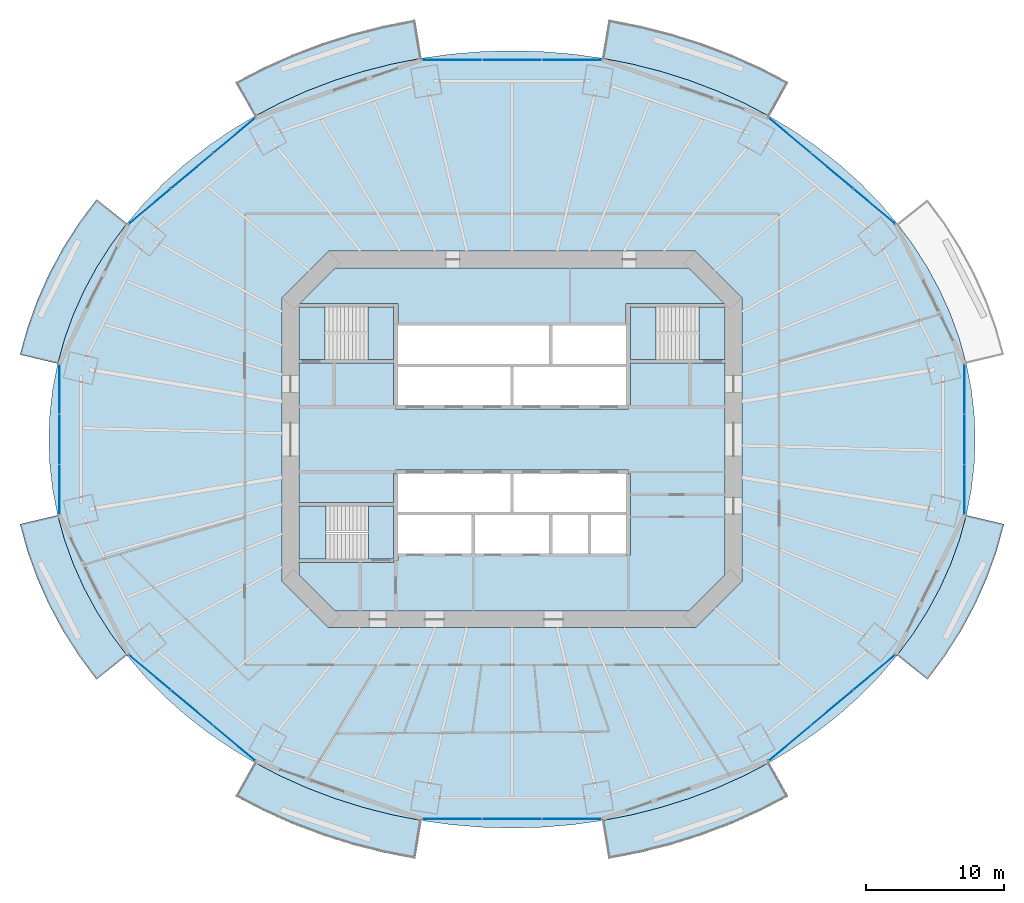
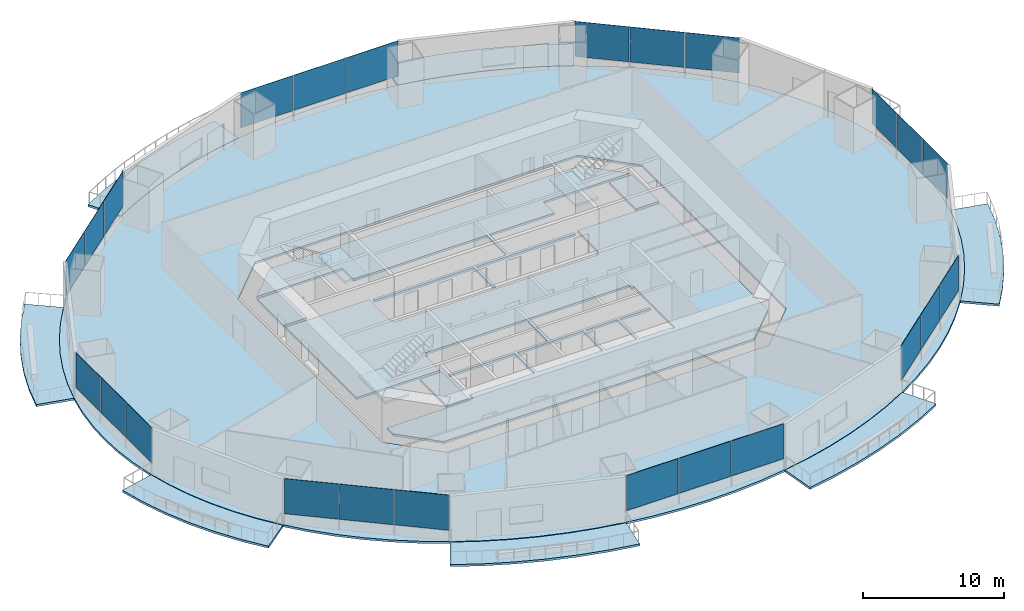
# One storey, part 11 of 18: 24 plates, 16 slabs, 11 elements without a shape of their own.
"""IFC4 building model written with IfcOpenShell, lengths in metres."""

from ifc_helpers import new_model, si_unit, direction, frame, origin, origin_2d, place, context, subcontext, project, spatial, polyline, rectangle, outline, extrude, material, layer, layer_set, type_object, element, aggregate, save


model = new_model("IFC4")

# Units and contexts
model_context = context("Model", 3, precision=1e-05, world=origin(), true_north=direction((0.0, 1.0)))
body_context = subcontext(model_context, "Body", "Model", "MODEL_VIEW")
ifc_project = project(units=[si_unit("LENGTHUNIT", "METRE"), si_unit("AREAUNIT", "SQUARE_METRE"), si_unit("VOLUMEUNIT", "CUBIC_METRE"), si_unit("PLANEANGLEUNIT", "RADIAN"), si_unit("MASSUNIT", "GRAM", prefix="KILO")], contexts=[model_context])

# Site, building, storey
site_placement = place(None, origin())
site = spatial("IfcSite", under=ifc_project, at=site_placement, CompositionType="ELEMENT")
building_placement = place(site_placement, origin())
building = spatial("IfcBuilding", under=site, at=building_placement, Name="Marenthal Gate Tower", CompositionType="ELEMENT")
storey_placement = place(building_placement, frame((0.0, 0.0, 140.89990234375)))
storey = spatial("IfcBuildingStorey", under=building, at=storey_placement, Name="L30", CompositionType="ELEMENT", Elevation=140.89990234375)

# Slabs
ifc_material_1 = material(Name="Concrete 40 MPa", Category="concrete")
ifc_layer_1 = layer(ifc_material_1, 0.179931640625)
ifc_layer_set_1 = layer_set([ifc_layer_1], Name="Balcony deck 180")
slab_type_1 = type_object("IfcSlabType", Name="Balcony deck 180", PredefinedType="USERDEFINED", material=ifc_layer_set_1)
slab_1_placement = place(storey_placement, frame((0.0, 0.0, -0.219970703125)))
element("IfcSlab", 1, at=slab_1_placement, inside=storey, type_object=slab_type_1, Name="Balcony deck L30 bay 3", ObjectType="BALCONY", PredefinedType="USERDEFINED", context=body_context, shape_type="SweptSolid", body=[
    extrude(outline(polyline([(18.590576171875, 23.34521484375), (16.73095703125, 24.3154296875), (14.7998046875, 25.181396484375), (12.805419921875, 25.939697265625), (10.756103515625, 26.5869140625), (8.66064453125, 27.120361328125), (6.528076171875, 27.53759765625), (6.989013671875, 30.29931640625), (9.27490234375, 29.85205078125), (11.52294921875, 29.27978515625), (13.724609375, 28.584716796875), (15.870361328125, 27.768798828125), (17.95166015625, 26.835205078125), (19.959716796875, 25.78759765625), (18.590576171875, 23.34521484375)])), origin(), (0.0, 0.0, 1.0), 0.18017578125),
])
slab_2_placement = place(storey_placement, frame((0.0, 0.0, -0.219970703125)))
element("IfcSlab", 2, at=slab_2_placement, inside=storey, type_object=slab_type_1, Name="Balcony deck L30 bay 5", ObjectType="BALCONY", PredefinedType="USERDEFINED", context=body_context, shape_type="SweptSolid", body=[
    extrude(outline(polyline([(-6.528076171875, 27.53759765625), (-8.66064453125, 27.120361328125), (-10.756103515625, 26.5869140625), (-12.805419921875, 25.939697265625), (-14.7998046875, 25.181396484375), (-16.73095703125, 24.3154296875), (-18.590576171875, 23.34521484375), (-19.959716796875, 25.78759765625), (-17.95166015625, 26.835205078125), (-15.870361328125, 27.768798828125), (-13.724609375, 28.584716796875), (-11.52294921875, 29.27978515625), (-9.27490234375, 29.85205078125), (-6.989013671875, 30.29931640625), (-6.528076171875, 27.53759765625)])), origin(), (0.0, 0.0, 1.0), 0.18017578125),
])
slab_3_placement = place(storey_placement, frame((0.0, 0.0, -0.219970703125)))
element("IfcSlab", 3, at=slab_3_placement, inside=storey, type_object=slab_type_1, Name="Balcony deck L30 bay 7", ObjectType="BALCONY", PredefinedType="USERDEFINED", context=body_context, shape_type="SweptSolid", body=[
    extrude(outline(polyline([(-27.822509765625, 15.5986328125), (-28.97900390625, 14.03857421875), (-30.01123046875, 12.418212890625), (-30.914794921875, 10.74462890625), (-31.686279296875, 9.025146484375), (-32.32177734375, 7.266845703125), (-32.819091796875, 5.4775390625), (-35.54345703125, 6.12353515625), (-34.989013671875, 8.11865234375), (-34.28173828125, 10.0751953125), (-33.425537109375, 11.984130859375), (-32.425048828125, 13.8369140625), (-31.28564453125, 15.625732421875), (-30.012939453125, 17.343017578125), (-27.822509765625, 15.5986328125)])), origin(), (0.0, 0.0, 1.0), 0.18017578125),
])
slab_4_placement = place(storey_placement, frame((0.0, 0.0, -0.219970703125)))
element("IfcSlab", 4, at=slab_4_placement, inside=storey, type_object=slab_type_1, Name="Balcony deck L30 bay 9", ObjectType="BALCONY", PredefinedType="USERDEFINED", context=body_context, shape_type="SweptSolid", body=[
    extrude(outline(polyline([(-32.819091796875, -5.4775390625), (-32.32177734375, -7.266845703125), (-31.686279296875, -9.025146484375), (-30.914794921875, -10.74462890625), (-30.01123046875, -12.418212890625), (-28.97900390625, -14.03857421875), (-27.822509765625, -15.5986328125), (-30.012939453125, -17.343017578125), (-31.28564453125, -15.625732421875), (-32.425048828125, -13.8369140625), (-33.425537109375, -11.984130859375), (-34.28173828125, -10.0751953125), (-34.989013671875, -8.11865234375), (-35.54345703125, -6.12353515625), (-32.819091796875, -5.4775390625)])), origin(), (0.0, 0.0, 1.0), 0.18017578125),
])
slab_5_placement = place(storey_placement, frame((0.0, 0.0, -0.219970703125)))
element("IfcSlab", 5, at=slab_5_placement, inside=storey, type_object=slab_type_1, Name="Balcony deck L30 bay 11", ObjectType="BALCONY", PredefinedType="USERDEFINED", context=body_context, shape_type="SweptSolid", body=[
    extrude(outline(polyline([(-18.590576171875, -23.34521484375), (-16.73095703125, -24.3154296875), (-14.7998046875, -25.181396484375), (-12.805419921875, -25.939697265625), (-10.756103515625, -26.5869140625), (-8.66064453125, -27.120361328125), (-6.528076171875, -27.53759765625), (-6.989013671875, -30.29931640625), (-9.27490234375, -29.85205078125), (-11.52294921875, -29.27978515625), (-13.724609375, -28.584716796875), (-15.870361328125, -27.768798828125), (-17.95166015625, -26.835205078125), (-19.959716796875, -25.78759765625), (-18.590576171875, -23.34521484375)])), origin(), (0.0, 0.0, 1.0), 0.18017578125),
])
slab_6_placement = place(storey_placement, frame((0.0, 0.0, -0.219970703125)))
element("IfcSlab", 6, at=slab_6_placement, inside=storey, type_object=slab_type_1, Name="Balcony deck L30 bay 13", ObjectType="BALCONY", PredefinedType="USERDEFINED", context=body_context, shape_type="SweptSolid", body=[
    extrude(outline(polyline([(6.528076171875, -27.53759765625), (8.66064453125, -27.120361328125), (10.756103515625, -26.5869140625), (12.805419921875, -25.939697265625), (14.7998046875, -25.181396484375), (16.73095703125, -24.3154296875), (18.590576171875, -23.34521484375), (19.959716796875, -25.78759765625), (17.95166015625, -26.835205078125), (15.870361328125, -27.768798828125), (13.724609375, -28.584716796875), (11.52294921875, -29.27978515625), (9.27490234375, -29.85205078125), (6.989013671875, -30.29931640625), (6.528076171875, -27.53759765625)])), origin(), (0.0, 0.0, 1.0), 0.18017578125),
])
slab_7_placement = place(storey_placement, frame((0.0, 0.0, -0.219970703125)))
element("IfcSlab", 7, at=slab_7_placement, inside=storey, type_object=slab_type_1, Name="Balcony deck L30 bay 15", ObjectType="BALCONY", PredefinedType="USERDEFINED", context=body_context, shape_type="SweptSolid", body=[
    extrude(outline(polyline([(27.822509765625, -15.5986328125), (28.97900390625, -14.03857421875), (30.01123046875, -12.418212890625), (30.914794921875, -10.74462890625), (31.686279296875, -9.025146484375), (32.32177734375, -7.266845703125), (32.819091796875, -5.4775390625), (35.54345703125, -6.12353515625), (34.989013671875, -8.11865234375), (34.28173828125, -10.0751953125), (33.425537109375, -11.984130859375), (32.425048828125, -13.8369140625), (31.28564453125, -15.625732421875), (30.012939453125, -17.343017578125), (27.822509765625, -15.5986328125)])), origin(), (0.0, 0.0, 1.0), 0.18017578125),
])
ifc_material_2 = material(Name="Concrete 50 MPa", Category="concrete")
ifc_layer_2 = layer(ifc_material_2, 0.179931640625)
ifc_layer_set_2 = layer_set([ifc_layer_2], Name="Core floor slab 180")
slab_type_2 = type_object("IfcSlabType", Name="Core floor slab 180", PredefinedType="FLOOR", material=ifc_layer_set_2)
slab_8_placement = place(storey_placement, frame((0.0, 0.0, -0.179931640625)))
element("IfcSlab", 8, at=slab_8_placement, inside=storey, type_object=slab_type_2, Name="Core floor L30", PredefinedType="FLOOR", context=body_context, shape_type="SweptSolid", body=[
    extrude(outline(polyline([(15.39990234375, -9.75146484375), (12.75146484375, -12.39990234375), (-12.75146484375, -12.39990234375), (-15.39990234375, -9.75146484375), (-15.39990234375, -8.875), (-8.550048828125, -8.875), (-8.550048828125, -8.75), (-8.25, -8.75), (-8.25, -8.239990234375), (-5.60009765625, -8.239990234375), (-2.909912109375, -8.239990234375), (-2.909912109375, -5.4599609375), (-5.60009765625, -5.4599609375), (-8.25, -5.4599609375), (-8.25, -5.239990234375), (-5.60009765625, -5.239990234375), (-2.800048828125, -5.239990234375), (-0.110107421875, -5.239990234375), (-0.110107421875, -2.5), (0.110107421875, -2.5), (0.110107421875, -5.239990234375), (2.800048828125, -5.239990234375), (5.60009765625, -5.239990234375), (8.25, -5.239990234375), (8.25, -5.4599609375), (5.7099609375, -5.4599609375), (5.7099609375, -8.239990234375), (8.25, -8.239990234375), (8.25, -8.35009765625), (8.550048828125, -8.35009765625), (8.550048828125, -2.5), (8.39990234375, -2.5), (8.39990234375, -2.199951171875), (-8.39990234375, -2.199951171875), (-8.39990234375, -2.5), (-8.550048828125, -2.5), (-8.550048828125, -4.574951171875), (-15.39990234375, -4.574951171875), (-15.39990234375, 5.52490234375), (-8.550048828125, 5.52490234375), (-8.550048828125, 2.5), (-8.39990234375, 2.5), (-8.39990234375, 2.199951171875), (8.39990234375, 2.199951171875), (8.39990234375, 2.5), (8.550048828125, 2.5), (8.550048828125, 5.52490234375), (15.39990234375, 5.52490234375), (15.39990234375, -9.75146484375)]), holes=[polyline([(2.68994140625, -5.4599609375), (0.0, -5.4599609375), (-2.68994140625, -5.4599609375), (-2.68994140625, -8.239990234375), (0.0, -8.239990234375), (2.68994140625, -8.239990234375), (2.68994140625, -5.4599609375)]), polyline([(5.489990234375, -5.4599609375), (2.909912109375, -5.4599609375), (2.909912109375, -8.239990234375), (5.489990234375, -8.239990234375), (5.489990234375, -5.4599609375)])]), origin(), (0.0, 0.0, 1.0), 0.179931640625),
])
slab_9_placement = place(storey_placement, frame((0.0, 0.0, -0.179931640625)))
element("IfcSlab", 9, at=slab_9_placement, inside=storey, type_object=slab_type_2, Name="Core floor L30", PredefinedType="FLOOR", context=body_context, shape_type="SweptSolid", body=[
    extrude(outline(polyline([(15.39990234375, 5.77490234375), (13.5, 5.77490234375), (13.5, 9.574951171875), (15.39990234375, 9.574951171875), (15.39990234375, 5.77490234375)])), origin(), (0.0, 0.0, 1.0), 0.179931640625),
])
slab_10_placement = place(storey_placement, frame((0.0, 0.0, -0.179931640625)))
element("IfcSlab", 10, at=slab_10_placement, inside=storey, type_object=slab_type_2, Name="Core floor L30", PredefinedType="FLOOR", context=body_context, shape_type="SweptSolid", body=[
    extrude(outline(polyline([(12.75146484375, 12.39990234375), (15.326416015625, 9.824951171875), (8.550048828125, 9.824951171875), (8.25, 9.824951171875), (8.25, 8.35009765625), (8.25, 8.239990234375), (5.60009765625, 8.239990234375), (2.909912109375, 8.239990234375), (2.909912109375, 5.4599609375), (5.60009765625, 5.4599609375), (8.25, 5.4599609375), (8.25, 5.239990234375), (5.60009765625, 5.239990234375), (2.800048828125, 5.239990234375), (0.110107421875, 5.239990234375), (0.110107421875, 2.5), (-0.110107421875, 2.5), (-0.110107421875, 5.239990234375), (-2.800048828125, 5.239990234375), (-5.60009765625, 5.239990234375), (-8.25, 5.239990234375), (-8.25, 5.4599609375), (-5.60009765625, 5.4599609375), (-2.800048828125, 5.4599609375), (0.0, 5.4599609375), (2.68994140625, 5.4599609375), (2.68994140625, 8.239990234375), (0.0, 8.239990234375), (-2.800048828125, 8.239990234375), (-5.60009765625, 8.239990234375), (-8.25, 8.239990234375), (-8.25, 8.35009765625), (-8.25, 9.824951171875), (-8.550048828125, 9.824951171875), (-15.326416015625, 9.824951171875), (-12.75146484375, 12.39990234375), (12.75146484375, 12.39990234375)])), origin(), (0.0, 0.0, 1.0), 0.179931640625),
])
slab_11_placement = place(storey_placement, frame((0.0, 0.0, -0.179931640625)))
element("IfcSlab", 11, at=slab_11_placement, inside=storey, type_object=slab_type_2, Name="Core floor L30", PredefinedType="FLOOR", context=body_context, shape_type="SweptSolid", body=[
    extrude(outline(polyline([(-15.39990234375, 9.574951171875), (-13.5, 9.574951171875), (-13.5, 5.77490234375), (-15.39990234375, 5.77490234375), (-15.39990234375, 9.574951171875)])), origin(), (0.0, 0.0, 1.0), 0.179931640625),
])
slab_12_placement = place(storey_placement, frame((0.0, 0.0, -0.179931640625)))
element("IfcSlab", 12, at=slab_12_placement, inside=storey, type_object=slab_type_2, Name="Core floor L30", PredefinedType="FLOOR", context=body_context, shape_type="SweptSolid", body=[
    extrude(outline(polyline([(-8.550048828125, -8.625), (-10.35009765625, -8.625), (-10.35009765625, -4.824951171875), (-8.550048828125, -4.824951171875), (-8.550048828125, -8.625)])), origin(), (0.0, 0.0, 1.0), 0.179931640625),
])
ifc_material_3 = material(Name="Concrete 35 MPa", Category="concrete")
ifc_layer_3 = layer(ifc_material_3, 0.179931640625)
ifc_layer_set_3 = layer_set([ifc_layer_3], Name="Floor slab 180")
slab_type_3 = type_object("IfcSlabType", Name="Floor slab 180", PredefinedType="FLOOR", material=ifc_layer_set_3)
slab_13_placement = place(storey_placement, frame((0.0, 0.0, -0.179931640625)))
element("IfcSlab", 13, at=slab_13_placement, inside=storey, type_object=slab_type_3, Name="SL-L30-01", PredefinedType="FLOOR", context=body_context, shape_type="SweptSolid", body=[
    extrude(outline(polyline([(33.4619140625, 0.0), (33.390380859375, 1.836181640625), (33.17578125, 3.664794921875), (32.819091796875, 5.4775390625), (32.32177734375, 7.266845703125), (31.686279296875, 9.025146484375), (30.914794921875, 10.74462890625), (30.01123046875, 12.418212890625), (28.97900390625, 14.03857421875), (27.822509765625, 15.5986328125), (26.547119140625, 17.09228515625), (25.158203125, 18.512451171875), (23.6611328125, 19.853515625), (22.06298828125, 21.109375), (20.370361328125, 22.27490234375), (18.590576171875, 23.34521484375), (16.73095703125, 24.3154296875), (14.7998046875, 25.181396484375), (12.805419921875, 25.939697265625), (10.756103515625, 26.5869140625), (8.66064453125, 27.120361328125), (6.528076171875, 27.53759765625), (4.36767578125, 27.8369140625), (2.1884765625, 28.016845703125), (0.0, 28.076904296875), (-2.1884765625, 28.016845703125), (-4.36767578125, 27.8369140625), (-6.528076171875, 27.53759765625), (-8.66064453125, 27.120361328125), (-10.756103515625, 26.5869140625), (-12.805419921875, 25.939697265625), (-14.7998046875, 25.181396484375), (-16.73095703125, 24.3154296875), (-18.590576171875, 23.34521484375), (-20.370361328125, 22.27490234375), (-22.06298828125, 21.109375), (-23.6611328125, 19.853515625), (-25.158203125, 18.512451171875), (-26.547119140625, 17.09228515625), (-27.822509765625, 15.5986328125), (-28.97900390625, 14.03857421875), (-30.01123046875, 12.418212890625), (-30.914794921875, 10.74462890625), (-31.686279296875, 9.025146484375), (-32.32177734375, 7.266845703125), (-32.819091796875, 5.4775390625), (-33.17578125, 3.664794921875), (-33.390380859375, 1.836181640625), (-33.4619140625, 0.0), (-33.390380859375, -1.836181640625), (-33.17578125, -3.664794921875), (-32.819091796875, -5.4775390625), (-32.32177734375, -7.266845703125), (-31.686279296875, -9.025146484375), (-30.914794921875, -10.74462890625), (-30.01123046875, -12.418212890625), (-28.97900390625, -14.03857421875), (-27.822509765625, -15.5986328125), (-26.547119140625, -17.09228515625), (-25.158203125, -18.512451171875), (-23.6611328125, -19.853515625), (-22.06298828125, -21.109375), (-20.370361328125, -22.27490234375), (-18.590576171875, -23.34521484375), (-16.73095703125, -24.3154296875), (-14.7998046875, -25.181396484375), (-12.805419921875, -25.939697265625), (-10.756103515625, -26.5869140625), (-8.66064453125, -27.120361328125), (-6.528076171875, -27.53759765625), (-4.36767578125, -27.8369140625), (-2.1884765625, -28.016845703125), (0.0, -28.076904296875), (2.1884765625, -28.016845703125), (4.36767578125, -27.8369140625), (6.528076171875, -27.53759765625), (8.66064453125, -27.120361328125), (10.756103515625, -26.5869140625), (12.805419921875, -25.939697265625), (14.7998046875, -25.181396484375), (16.73095703125, -24.3154296875), (18.590576171875, -23.34521484375), (20.370361328125, -22.27490234375), (22.06298828125, -21.109375), (23.6611328125, -19.853515625), (25.158203125, -18.512451171875), (26.547119140625, -17.09228515625), (27.822509765625, -15.5986328125), (28.97900390625, -14.03857421875), (30.01123046875, -12.418212890625), (30.914794921875, -10.74462890625), (31.686279296875, -9.025146484375), (32.32177734375, -7.266845703125), (32.819091796875, -5.4775390625), (33.17578125, -3.664794921875), (33.390380859375, -1.836181640625), (33.4619140625, 0.0)]), holes=[polyline([(13.24853515625, -13.60009765625), (16.60009765625, -10.24853515625), (16.60009765625, 10.24853515625), (13.24853515625, 13.60009765625), (-13.24853515625, 13.60009765625), (-16.60009765625, 10.24853515625), (-16.60009765625, -10.24853515625), (-13.24853515625, -13.60009765625), (13.24853515625, -13.60009765625)])]), origin(), (0.0, 0.0, 1.0), 0.179931640625),
])

# Curtain wall, plates
ifc_material_4 = material(Name="Aluminium and glass", Category="aluminium")
curtain_wall_type = type_object("IfcCurtainWallType", Name="Curtain wall typical low", PredefinedType="NOTDEFINED", material=ifc_material_4)
curtain_wall_1_placement = place(storey_placement, origin())
curtain_wall_1 = element("IfcCurtainWall", 14, at=curtain_wall_1_placement, inside=storey, type_object=curtain_wall_type, Name="Curtain wall L30 bay 2", PredefinedType="NOTDEFINED")
ifc_material_5 = material(Name="Glass, laminated insulating unit", Category="glass")
ifc_layer_4 = layer(ifc_material_5, 0.030029296875)
ifc_layer_set_4 = layer_set([ifc_layer_4], Name="Glass panel 30 typical low")
plate_type = type_object("IfcPlateType", Name="Glass panel 30 typical low", PredefinedType="CURTAIN_PANEL", material=ifc_layer_set_4)
plate_1_placement = place(storey_placement, frame((26.17431640625, 16.83056640625, 0.89990234375), z_axis=(0.0, 0.0, 1.0), x_axis=(-0.766276606305, 0.642510826857, 0.0)))
plate_1 = element("IfcPlate", 15, at=plate_1_placement, type_object=plate_type, Name="Glass panel L30 bay 2.1", PredefinedType="CURTAIN_PANEL", context=body_context, shape_type="SweptSolid", body=[
    extrude(rectangle(XDim=3.921630859375, YDim=0.030029296875, at=origin_2d()), origin(), (0.0, 0.0, 1.0), 3.050048828125),
])
plate_2_placement = place(storey_placement, frame((23.123291015625, 19.388671875, 0.89990234375), z_axis=(0.0, 0.0, 1.0), x_axis=(-0.766276606305, 0.642510826857, 0.0)))
plate_2 = element("IfcPlate", 16, at=plate_2_placement, type_object=plate_type, Name="Glass panel L30 bay 2.2", PredefinedType="CURTAIN_PANEL", context=body_context, shape_type="SweptSolid", body=[
    extrude(rectangle(XDim=3.921630859375, YDim=0.030029296875, at=origin_2d()), origin(), (0.0, 0.0, 1.0), 3.050048828125),
])
plate_3_placement = place(storey_placement, frame((20.072265625, 21.947021484375, 0.89990234375), z_axis=(0.0, 0.0, 1.0), x_axis=(-0.766276606305, 0.642510826857, 0.0)))
plate_3 = element("IfcPlate", 17, at=plate_3_placement, type_object=plate_type, Name="Glass panel L30 bay 2.3", PredefinedType="CURTAIN_PANEL", context=body_context, shape_type="SweptSolid", body=[
    extrude(rectangle(XDim=3.921630859375, YDim=0.030029296875, at=origin_2d()), origin(), (0.0, 0.0, 1.0), 3.050048828125),
])
aggregate(curtain_wall_1, [plate_1, plate_2, plate_3])

curtain_wall_2_placement = place(storey_placement, origin())
curtain_wall_2 = element("IfcCurtainWall", 18, at=curtain_wall_2_placement, inside=storey, type_object=curtain_wall_type, Name="Curtain wall L30 bay 4", PredefinedType="NOTDEFINED")
plate_4_placement = place(storey_placement, frame((4.31640625, 27.419921875, 0.89990234375), z_axis=(0.0, 0.0, 1.0), x_axis=(-1.0, 0.0, 0.0)))
plate_4 = element("IfcPlate", 19, at=plate_4_placement, type_object=plate_type, Name="Glass panel L30 bay 4.1", PredefinedType="CURTAIN_PANEL", context=body_context, shape_type="SweptSolid", body=[
    extrude(rectangle(XDim=4.256591796875, YDim=0.030029296875, at=origin_2d()), origin(), (0.0, 0.0, 1.0), 3.050048828125),
])
plate_5_placement = place(storey_placement, frame((0.0, 27.419921875, 0.89990234375), z_axis=(0.0, 0.0, 1.0), x_axis=(-1.0, 0.0, 0.0)))
plate_5 = element("IfcPlate", 20, at=plate_5_placement, type_object=plate_type, Name="Glass panel L30 bay 4.2", PredefinedType="CURTAIN_PANEL", context=body_context, shape_type="SweptSolid", body=[
    extrude(rectangle(XDim=4.25634765625, YDim=0.030029296875, at=origin_2d()), origin(), (0.0, 0.0, 1.0), 3.050048828125),
])
plate_6_placement = place(storey_placement, frame((-4.31640625, 27.419921875, 0.89990234375), z_axis=(0.0, 0.0, 1.0), x_axis=(-1.0, 0.0, 0.0)))
plate_6 = element("IfcPlate", 21, at=plate_6_placement, type_object=plate_type, Name="Glass panel L30 bay 4.3", PredefinedType="CURTAIN_PANEL", context=body_context, shape_type="SweptSolid", body=[
    extrude(rectangle(XDim=4.256591796875, YDim=0.030029296875, at=origin_2d()), origin(), (0.0, 0.0, 1.0), 3.050048828125),
])
aggregate(curtain_wall_2, [plate_4, plate_5, plate_6])

curtain_wall_3_placement = place(storey_placement, origin())
curtain_wall_3 = element("IfcCurtainWall", 22, at=curtain_wall_3_placement, inside=storey, type_object=curtain_wall_type, Name="Curtain wall L30 bay 6", PredefinedType="NOTDEFINED")
plate_7_placement = place(storey_placement, frame((-20.072265625, 21.947021484375, 0.89990234375), z_axis=(0.0, 0.0, 1.0), x_axis=(-0.766276606305, -0.642510826857, 0.0)))
plate_7 = element("IfcPlate", 23, at=plate_7_placement, type_object=plate_type, Name="Glass panel L30 bay 6.1", PredefinedType="CURTAIN_PANEL", context=body_context, shape_type="SweptSolid", body=[
    extrude(rectangle(XDim=3.921630859375, YDim=0.030029296875, at=origin_2d()), origin(), (0.0, 0.0, 1.0), 3.050048828125),
])
plate_8_placement = place(storey_placement, frame((-23.123291015625, 19.388671875, 0.89990234375), z_axis=(0.0, 0.0, 1.0), x_axis=(-0.766276606305, -0.642510826857, 0.0)))
plate_8 = element("IfcPlate", 24, at=plate_8_placement, type_object=plate_type, Name="Glass panel L30 bay 6.2", PredefinedType="CURTAIN_PANEL", context=body_context, shape_type="SweptSolid", body=[
    extrude(rectangle(XDim=3.921630859375, YDim=0.030029296875, at=origin_2d()), origin(), (0.0, 0.0, 1.0), 3.050048828125),
])
plate_9_placement = place(storey_placement, frame((-26.17431640625, 16.83056640625, 0.89990234375), z_axis=(0.0, 0.0, 1.0), x_axis=(-0.766276606305, -0.642510826857, 0.0)))
plate_9 = element("IfcPlate", 25, at=plate_9_placement, type_object=plate_type, Name="Glass panel L30 bay 6.3", PredefinedType="CURTAIN_PANEL", context=body_context, shape_type="SweptSolid", body=[
    extrude(rectangle(XDim=3.921630859375, YDim=0.030029296875, at=origin_2d()), origin(), (0.0, 0.0, 1.0), 3.050048828125),
])
aggregate(curtain_wall_3, [plate_7, plate_8, plate_9])

curtain_wall_4_placement = place(storey_placement, origin())
curtain_wall_4 = element("IfcCurtainWall", 26, at=curtain_wall_4_placement, inside=storey, type_object=curtain_wall_type, Name="Curtain wall L30 bay 8", PredefinedType="NOTDEFINED")
plate_10_placement = place(storey_placement, frame((-32.701416015625, 3.615966796875, 0.89990234375), z_axis=(0.0, 0.0, 1.0), x_axis=(0.0, -1.0, 0.0)))
plate_10 = element("IfcPlate", 27, at=plate_10_placement, type_object=plate_type, Name="Glass panel L30 bay 8.1", PredefinedType="CURTAIN_PANEL", context=body_context, shape_type="SweptSolid", body=[
    extrude(rectangle(XDim=3.55615234375, YDim=0.030029296875, at=origin_2d()), origin(), (0.0, 0.0, 1.0), 3.050048828125),
])
plate_11_placement = place(storey_placement, frame((-32.701416015625, 0.0, 0.89990234375), z_axis=(0.0, 0.0, 1.0), x_axis=(0.0, -1.0, 0.0)))
plate_11 = element("IfcPlate", 28, at=plate_11_placement, type_object=plate_type, Name="Glass panel L30 bay 8.2", PredefinedType="CURTAIN_PANEL", context=body_context, shape_type="SweptSolid", body=[
    extrude(rectangle(XDim=3.555908203125, YDim=0.030029296875, at=origin_2d()), origin(), (0.0, 0.0, 1.0), 3.050048828125),
])
plate_12_placement = place(storey_placement, frame((-32.701416015625, -3.615966796875, 0.89990234375), z_axis=(0.0, 0.0, 1.0), x_axis=(0.0, -1.0, 0.0)))
plate_12 = element("IfcPlate", 29, at=plate_12_placement, type_object=plate_type, Name="Glass panel L30 bay 8.3", PredefinedType="CURTAIN_PANEL", context=body_context, shape_type="SweptSolid", body=[
    extrude(rectangle(XDim=3.55615234375, YDim=0.030029296875, at=origin_2d()), origin(), (0.0, 0.0, 1.0), 3.050048828125),
])
aggregate(curtain_wall_4, [plate_10, plate_11, plate_12])

curtain_wall_5_placement = place(storey_placement, origin())
curtain_wall_5 = element("IfcCurtainWall", 30, at=curtain_wall_5_placement, inside=storey, type_object=curtain_wall_type, Name="Curtain wall L30 bay 10", PredefinedType="NOTDEFINED")
plate_13_placement = place(storey_placement, frame((-26.17431640625, -16.83056640625, 0.89990234375), z_axis=(0.0, 0.0, 1.0), x_axis=(0.766276606305, -0.642510826857, 0.0)))
plate_13 = element("IfcPlate", 31, at=plate_13_placement, type_object=plate_type, Name="Glass panel L30 bay 10.1", PredefinedType="CURTAIN_PANEL", context=body_context, shape_type="SweptSolid", body=[
    extrude(rectangle(XDim=3.921630859375, YDim=0.030029296875, at=origin_2d()), origin(), (0.0, 0.0, 1.0), 3.050048828125),
])
plate_14_placement = place(storey_placement, frame((-23.123291015625, -19.388671875, 0.89990234375), z_axis=(0.0, 0.0, 1.0), x_axis=(0.766276606305, -0.642510826857, 0.0)))
plate_14 = element("IfcPlate", 32, at=plate_14_placement, type_object=plate_type, Name="Glass panel L30 bay 10.2", PredefinedType="CURTAIN_PANEL", context=body_context, shape_type="SweptSolid", body=[
    extrude(rectangle(XDim=3.921630859375, YDim=0.030029296875, at=origin_2d()), origin(), (0.0, 0.0, 1.0), 3.050048828125),
])
plate_15_placement = place(storey_placement, frame((-20.072265625, -21.947021484375, 0.89990234375), z_axis=(0.0, 0.0, 1.0), x_axis=(0.766276606305, -0.642510826857, 0.0)))
plate_15 = element("IfcPlate", 33, at=plate_15_placement, type_object=plate_type, Name="Glass panel L30 bay 10.3", PredefinedType="CURTAIN_PANEL", context=body_context, shape_type="SweptSolid", body=[
    extrude(rectangle(XDim=3.921630859375, YDim=0.030029296875, at=origin_2d()), origin(), (0.0, 0.0, 1.0), 3.050048828125),
])
aggregate(curtain_wall_5, [plate_13, plate_14, plate_15])

curtain_wall_6_placement = place(storey_placement, origin())
curtain_wall_6 = element("IfcCurtainWall", 34, at=curtain_wall_6_placement, inside=storey, type_object=curtain_wall_type, Name="Curtain wall L30 bay 12", PredefinedType="NOTDEFINED")
plate_16_placement = place(storey_placement, frame((-4.31640625, -27.419921875, 0.89990234375), z_axis=(0.0, 0.0, 1.0), x_axis=(1.0, 0.0, 0.0)))
plate_16 = element("IfcPlate", 35, at=plate_16_placement, type_object=plate_type, Name="Glass panel L30 bay 12.1", PredefinedType="CURTAIN_PANEL", context=body_context, shape_type="SweptSolid", body=[
    extrude(rectangle(XDim=4.256591796875, YDim=0.030029296875, at=origin_2d()), origin(), (0.0, 0.0, 1.0), 3.050048828125),
])
plate_17_placement = place(storey_placement, frame((0.0, -27.419921875, 0.89990234375), z_axis=(0.0, 0.0, 1.0), x_axis=(1.0, 0.0, 0.0)))
plate_17 = element("IfcPlate", 36, at=plate_17_placement, type_object=plate_type, Name="Glass panel L30 bay 12.2", PredefinedType="CURTAIN_PANEL", context=body_context, shape_type="SweptSolid", body=[
    extrude(rectangle(XDim=4.25634765625, YDim=0.030029296875, at=origin_2d()), origin(), (0.0, 0.0, 1.0), 3.050048828125),
])
plate_18_placement = place(storey_placement, frame((4.31640625, -27.419921875, 0.89990234375), z_axis=(0.0, 0.0, 1.0), x_axis=(1.0, 0.0, 0.0)))
plate_18 = element("IfcPlate", 37, at=plate_18_placement, type_object=plate_type, Name="Glass panel L30 bay 12.3", PredefinedType="CURTAIN_PANEL", context=body_context, shape_type="SweptSolid", body=[
    extrude(rectangle(XDim=4.256591796875, YDim=0.030029296875, at=origin_2d()), origin(), (0.0, 0.0, 1.0), 3.050048828125),
])
aggregate(curtain_wall_6, [plate_16, plate_17, plate_18])

curtain_wall_7_placement = place(storey_placement, origin())
curtain_wall_7 = element("IfcCurtainWall", 38, at=curtain_wall_7_placement, inside=storey, type_object=curtain_wall_type, Name="Curtain wall L30 bay 14", PredefinedType="NOTDEFINED")
plate_19_placement = place(storey_placement, frame((20.072265625, -21.947021484375, 0.89990234375), z_axis=(0.0, 0.0, 1.0), x_axis=(0.766276606305, 0.642510826857, 0.0)))
plate_19 = element("IfcPlate", 39, at=plate_19_placement, type_object=plate_type, Name="Glass panel L30 bay 14.1", PredefinedType="CURTAIN_PANEL", context=body_context, shape_type="SweptSolid", body=[
    extrude(rectangle(XDim=3.921630859375, YDim=0.030029296875, at=origin_2d()), origin(), (0.0, 0.0, 1.0), 3.050048828125),
])
plate_20_placement = place(storey_placement, frame((23.123291015625, -19.388671875, 0.89990234375), z_axis=(0.0, 0.0, 1.0), x_axis=(0.766276606305, 0.642510826857, 0.0)))
plate_20 = element("IfcPlate", 40, at=plate_20_placement, type_object=plate_type, Name="Glass panel L30 bay 14.2", PredefinedType="CURTAIN_PANEL", context=body_context, shape_type="SweptSolid", body=[
    extrude(rectangle(XDim=3.921630859375, YDim=0.030029296875, at=origin_2d()), origin(), (0.0, 0.0, 1.0), 3.050048828125),
])
plate_21_placement = place(storey_placement, frame((26.17431640625, -16.83056640625, 0.89990234375), z_axis=(0.0, 0.0, 1.0), x_axis=(0.766276606305, 0.642510826857, 0.0)))
plate_21 = element("IfcPlate", 41, at=plate_21_placement, type_object=plate_type, Name="Glass panel L30 bay 14.3", PredefinedType="CURTAIN_PANEL", context=body_context, shape_type="SweptSolid", body=[
    extrude(rectangle(XDim=3.921630859375, YDim=0.030029296875, at=origin_2d()), origin(), (0.0, 0.0, 1.0), 3.050048828125),
])
aggregate(curtain_wall_7, [plate_19, plate_20, plate_21])

curtain_wall_8_placement = place(storey_placement, origin())
curtain_wall_8 = element("IfcCurtainWall", 42, at=curtain_wall_8_placement, inside=storey, type_object=curtain_wall_type, Name="Curtain wall L30 bay 16", PredefinedType="NOTDEFINED")
plate_22_placement = place(storey_placement, frame((32.701416015625, -3.615966796875, 0.89990234375), z_axis=(0.0, 0.0, 1.0), x_axis=(0.0, 1.0, 0.0)))
plate_22 = element("IfcPlate", 43, at=plate_22_placement, type_object=plate_type, Name="Glass panel L30 bay 16.1", PredefinedType="CURTAIN_PANEL", context=body_context, shape_type="SweptSolid", body=[
    extrude(rectangle(XDim=3.55615234375, YDim=0.030029296875, at=origin_2d()), origin(), (0.0, 0.0, 1.0), 3.050048828125),
])
plate_23_placement = place(storey_placement, frame((32.701416015625, 0.0, 0.89990234375), z_axis=(0.0, 0.0, 1.0), x_axis=(0.0, 1.0, 0.0)))
plate_23 = element("IfcPlate", 44, at=plate_23_placement, type_object=plate_type, Name="Glass panel L30 bay 16.2", PredefinedType="CURTAIN_PANEL", context=body_context, shape_type="SweptSolid", body=[
    extrude(rectangle(XDim=3.555908203125, YDim=0.030029296875, at=origin_2d()), origin(), (0.0, 0.0, 1.0), 3.050048828125),
])
plate_24_placement = place(storey_placement, frame((32.701416015625, 3.615966796875, 0.89990234375), z_axis=(0.0, 0.0, 1.0), x_axis=(0.0, 1.0, 0.0)))
plate_24 = element("IfcPlate", 45, at=plate_24_placement, type_object=plate_type, Name="Glass panel L30 bay 16.3", PredefinedType="CURTAIN_PANEL", context=body_context, shape_type="SweptSolid", body=[
    extrude(rectangle(XDim=3.55615234375, YDim=0.030029296875, at=origin_2d()), origin(), (0.0, 0.0, 1.0), 3.050048828125),
])
aggregate(curtain_wall_8, [plate_22, plate_23, plate_24])

# Stair, slab
ifc_material_6 = material(Name="Concrete 40 MPa", Category="concrete")
stair_type = type_object("IfcStairType", Name="Exit stair 1800", PredefinedType="HALF_TURN_STAIR", material=ifc_material_6)
stair_1_placement = place(storey_placement, origin())
stair_1 = element("IfcStair", 46, at=stair_1_placement, inside=storey, type_object=stair_type, Name="Stair ST1", PredefinedType="HALF_TURN_STAIR")
ifc_material_7 = material(Name="Concrete 40 MPa", Category="concrete")
ifc_layer_5 = layer(ifc_material_7, 0.199951171875)
ifc_layer_set_5 = layer_set([ifc_layer_5], Name="Stair landing 200")
slab_type_4 = type_object("IfcSlabType", Name="Stair landing 200", PredefinedType="LANDING", material=ifc_layer_set_5)
slab_14_placement = place(storey_placement, frame((0.0, 0.0, 1.875)))
slab_14 = element("IfcSlab", 47, at=slab_14_placement, type_object=slab_type_4, Name="ST1 landing 1", PredefinedType="LANDING", context=body_context, shape_type="SweptSolid", body=[
    extrude(outline(polyline([(-10.419921875, 5.77490234375), (-8.550048828125, 5.77490234375), (-8.550048828125, 9.574951171875), (-10.419921875, 9.574951171875), (-10.419921875, 5.77490234375)])), origin(), (0.0, 0.0, 1.0), 0.2001953125),
])
aggregate(stair_1, [slab_14])

stair_2_placement = place(storey_placement, origin())
stair_2 = element("IfcStair", 48, at=stair_2_placement, inside=storey, type_object=stair_type, Name="Stair ST2", PredefinedType="HALF_TURN_STAIR")
slab_15_placement = place(storey_placement, frame((0.0, 0.0, 1.875)))
slab_15 = element("IfcSlab", 49, at=slab_15_placement, type_object=slab_type_4, Name="ST2 landing 1", PredefinedType="LANDING", context=body_context, shape_type="SweptSolid", body=[
    extrude(outline(polyline([(-15.39990234375, -8.625), (-13.429931640625, -8.625), (-13.429931640625, -4.824951171875), (-15.39990234375, -4.824951171875), (-15.39990234375, -8.625)])), origin(), (0.0, 0.0, 1.0), 0.2001953125),
])
aggregate(stair_2, [slab_15])

stair_3_placement = place(storey_placement, origin())
stair_3 = element("IfcStair", 50, at=stair_3_placement, inside=storey, type_object=stair_type, Name="Stair ST3", PredefinedType="HALF_TURN_STAIR")
slab_16_placement = place(storey_placement, frame((0.0, 0.0, 1.875)))
slab_16 = element("IfcSlab", 51, at=slab_16_placement, type_object=slab_type_4, Name="ST3 landing 1", PredefinedType="LANDING", context=body_context, shape_type="SweptSolid", body=[
    extrude(outline(polyline([(8.550048828125, 5.77490234375), (10.419921875, 5.77490234375), (10.419921875, 9.574951171875), (8.550048828125, 9.574951171875), (8.550048828125, 5.77490234375)])), origin(), (0.0, 0.0, 1.0), 0.2001953125),
])
aggregate(stair_3, [slab_16])

save(model, "model.ifc")
